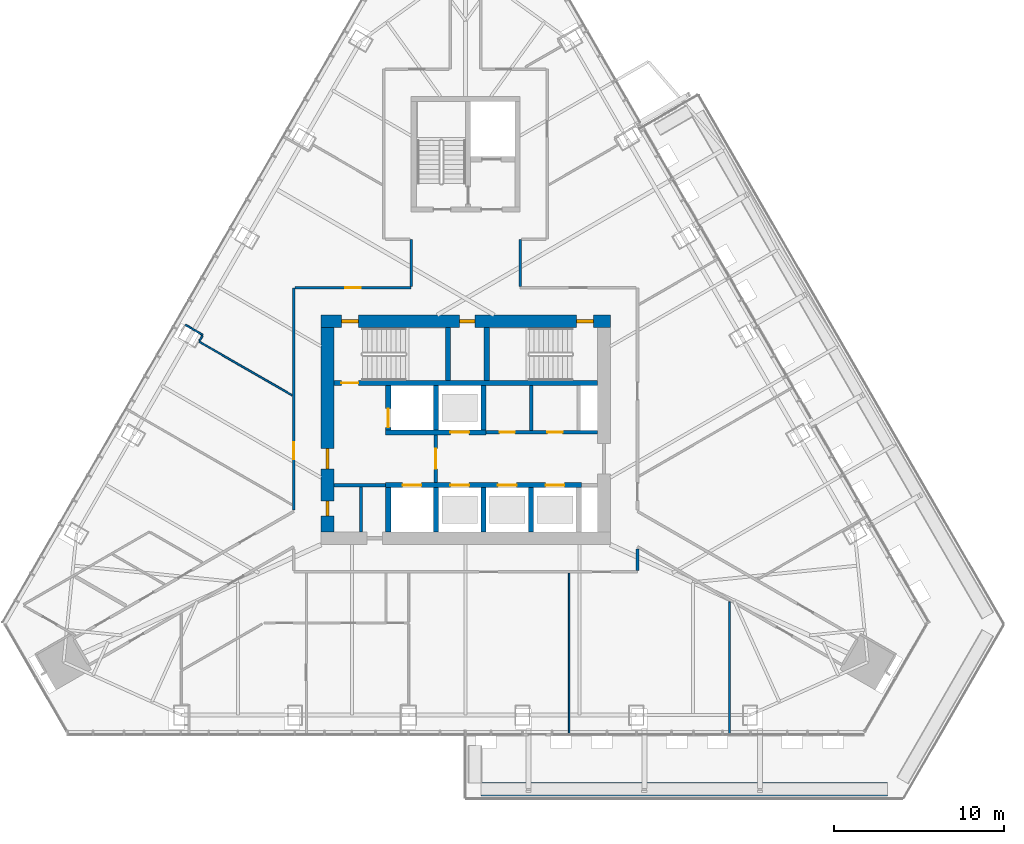
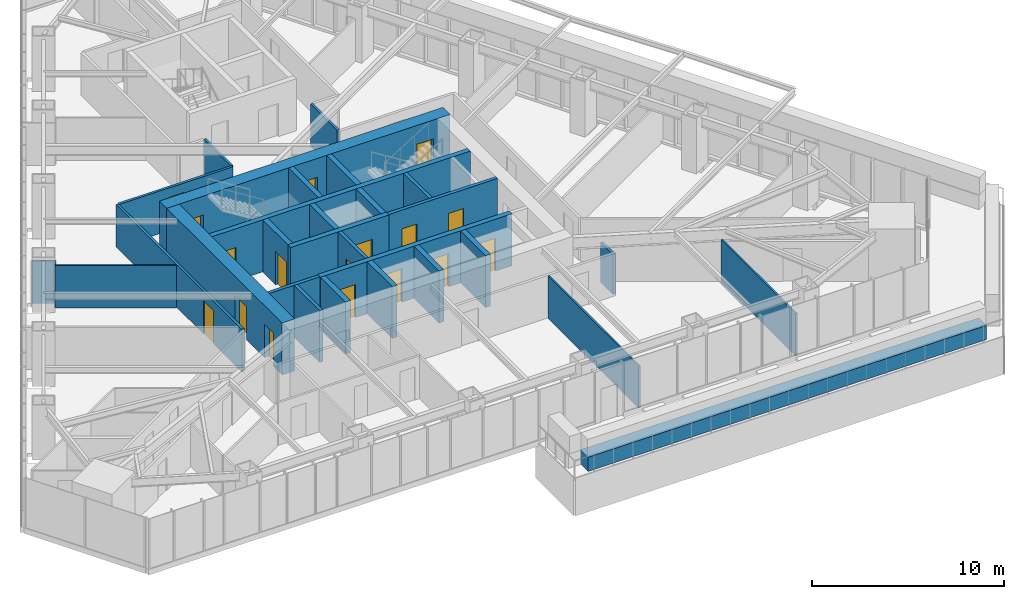
# One storey, part 11 of 17: 30 walls, 17 doors, 17 openings.
"""IFC4 building model written with IfcOpenShell, lengths in metres."""

from ifc_helpers import new_model, si_unit, direction, frame, frame_2d, origin, place, context, subcontext, project, spatial, rectangle, extrude, material, layer, layer_set, type_object, element, fill, save


model = new_model("IFC4")

# Units and contexts
model_context = context("Model", 3, precision=1e-05, world=origin(), true_north=direction((0.0, 1.0)))
body_context = subcontext(model_context, "Body", "Model", "MODEL_VIEW")
ifc_project = project(units=[si_unit("LENGTHUNIT", "METRE"), si_unit("AREAUNIT", "SQUARE_METRE"), si_unit("VOLUMEUNIT", "CUBIC_METRE"), si_unit("PLANEANGLEUNIT", "RADIAN"), si_unit("MASSUNIT", "GRAM", prefix="KILO")], contexts=[model_context])

# Site, building, storey
site_placement = place(None, origin())
site = spatial("IfcSite", under=ifc_project, at=site_placement, CompositionType="ELEMENT")
building_placement = place(site_placement, origin())
building = spatial("IfcBuilding", under=site, at=building_placement, Name="Firuza Gate Tower and Library", CompositionType="ELEMENT")
storey_placement = place(building_placement, frame((0.0, 0.0, 263.60009765625)))
storey = spatial("IfcBuildingStorey", under=building, at=storey_placement, Name="L62", CompositionType="ELEMENT", Elevation=263.60009765625)

# Wall
ifc_material_1 = material(Name="Plasterboard on steel studs", Category="steel")
ifc_layer_1 = layer(ifc_material_1, 0.199951171875)
ifc_layer_set_1 = layer_set([ifc_layer_1], Name="Core partition 200 EI 120")
wall_type_1 = type_object("IfcWallType", Name="Core partition 200 EI 120", PredefinedType="PARTITIONING", material=ifc_layer_set_1)
wall_1_placement = place(storey_placement, frame((67.25, 71.75, 0.0), z_axis=(0.0, 0.0, 1.0), x_axis=(1.0, 0.0, 0.0)))
element("IfcWall", 1, at=wall_1_placement, inside=storey, type_object=wall_type_1, Name="Core partition L62 1", PredefinedType="PARTITIONING", context=body_context, shape_type="SweptSolid", body=[
    extrude(rectangle(XDim=3.050048828125, YDim=0.199951171875, at=frame_2d((1.52490234375, 0.0))), origin(), (0.0, 0.0, 1.0), 3.2998046875),
])

# Wall, openings, doors
wall_2_placement = place(storey_placement, frame((76.199951171875, 74.85009765625, 0.0), z_axis=(0.0, 0.0, 1.0), x_axis=(1.0, 0.0, 0.0)))
wall_2 = element("IfcWall", 2, at=wall_2_placement, inside=storey, type_object=wall_type_1, Name="Core partition L62 3", PredefinedType="PARTITIONING", context=body_context, shape_type="SweptSolid", body=[
    extrude(rectangle(XDim=6.550048828125, YDim=0.199951171875, at=frame_2d((3.27490234375, 0.0))), origin(), (0.0, 0.0, 1.0), 3.2998046875),
])
opening_1_placement = place(wall_2_placement, frame((0.800048828125, 0.0, 0.0)))
opening_1 = element("IfcOpeningElement", 3, at=opening_1_placement, cuts=wall_2, Name="Opening L62-K19", PredefinedType="OPENING", context=body_context, shape_type="SweptSolid", body=[
    extrude(rectangle(XDim=0.89990234375, YDim=2.10009765625, at=frame_2d((0.449951171875, 1.050048828125))), frame((0.0, 0.10986328125, 0.0), z_axis=(0.0, -1.0, 0.0), x_axis=(1.0, 0.0, 0.0)), (0.0, 0.0, 1.0), 0.219970703125),
])
opening_2_placement = place(wall_2_placement, frame((3.60009765625, 0.0, 0.0)))
opening_2 = element("IfcOpeningElement", 4, at=opening_2_placement, cuts=wall_2, Name="Opening L62-K20", PredefinedType="OPENING", context=body_context, shape_type="SweptSolid", body=[
    extrude(rectangle(XDim=0.89990234375, YDim=2.10009765625, at=frame_2d((0.449951171875, 1.050048828125))), frame((0.0, 0.10986328125, 0.0), z_axis=(0.0, -1.0, 0.0), x_axis=(1.0, 0.0, 0.0)), (0.0, 0.0, 1.0), 0.219970703125),
])
ifc_material_2 = material(Name="Steel", Category="steel")
door_type_1 = type_object("IfcDoorType", Name="Fire door 900x2100 FD30S", OperationType="NOTDEFINED", PredefinedType="DOOR", material=ifc_material_2)
door_1_placement = place(opening_1_placement, origin())
door_1 = element("IfcDoor", 5, at=door_1_placement, inside=storey, type_object=door_type_1, Name="Door L62-K19", OperationType="SINGLE_SWING_RIGHT", OverallHeight=2.10009765625, OverallWidth=0.89990234375, PredefinedType="DOOR", context=body_context, shape_type="SweptSolid", body=[
    extrude(rectangle(XDim=0.89990234375, YDim=2.10009765625, at=frame_2d((0.449951171875, 1.050048828125))), frame((0.0, 0.02490234375, 0.0), z_axis=(0.0, -1.0, 0.0), x_axis=(1.0, 0.0, 0.0)), (0.0, 0.0, 1.0), 0.050048828125),
])
fill(opening_1, door_1)
door_2_placement = place(opening_2_placement, origin())
door_2 = element("IfcDoor", 6, at=door_2_placement, inside=storey, type_object=door_type_1, Name="Door L62-K20", OperationType="SINGLE_SWING_LEFT", OverallHeight=2.10009765625, OverallWidth=0.89990234375, PredefinedType="DOOR", context=body_context, shape_type="SweptSolid", body=[
    extrude(rectangle(XDim=0.89990234375, YDim=2.10009765625, at=frame_2d((0.449951171875, 1.050048828125))), frame((0.0, 0.02490234375, 0.0), z_axis=(0.0, -1.0, 0.0), x_axis=(1.0, 0.0, 0.0)), (0.0, 0.0, 1.0), 0.050048828125),
])
fill(opening_2, door_2)

# Walls
wall_3_placement = place(storey_placement, frame((68.85009765625, 69.0, 0.0), z_axis=(0.0, 0.0, 1.0), x_axis=(0.0, 1.0, 0.0)))
element("IfcWall", 7, at=wall_3_placement, inside=storey, type_object=wall_type_1, Name="Core partition L62 4", PredefinedType="PARTITIONING", context=body_context, shape_type="SweptSolid", body=[
    extrude(rectangle(XDim=2.64990234375, YDim=0.199951171875, at=frame_2d((1.324951171875, 0.0))), origin(), (0.0, 0.0, 1.0), 3.2998046875),
])
wall_4_placement = place(storey_placement, frame((78.85009765625, 74.949951171875, 0.0), z_axis=(0.0, 0.0, 1.0), x_axis=(0.0, 1.0, 0.0)))
element("IfcWall", 8, at=wall_4_placement, inside=storey, type_object=wall_type_1, Name="Core partition L62 6", PredefinedType="PARTITIONING", context=body_context, shape_type="SweptSolid", body=[
    extrude(rectangle(XDim=2.650146484375, YDim=0.199951171875, at=frame_2d((1.3251953125, 0.0))), origin(), (0.0, 0.0, 1.0), 3.2998046875),
])

# Wall, opening, door
ifc_material_3 = material(Name="Plasterboard on steel studs", Category="steel")
ifc_layer_2 = layer(ifc_material_3, 0.199951171875)
ifc_layer_set_2 = layer_set([ifc_layer_2], Name="Core partition 200 EI 60")
wall_type_2 = type_object("IfcWallType", Name="Core partition 200 EI 60", PredefinedType="PARTITIONING", material=ifc_layer_set_2)
wall_5_placement = place(storey_placement, frame((73.25, 71.89990234375, 0.0), z_axis=(0.0, 0.0, 1.0), x_axis=(0.0, 1.0, 0.0)))
wall_5 = element("IfcWall", 9, at=wall_5_placement, inside=storey, type_object=wall_type_2, Name="Core partition L62 5", PredefinedType="PARTITIONING", context=body_context, shape_type="SweptSolid", body=[
    extrude(rectangle(XDim=2.800048828125, YDim=0.199951171875, at=frame_2d((1.39990234375, 0.0))), origin(), (0.0, 0.0, 1.0), 3.2998046875),
])
opening_3_placement = place(wall_5_placement, frame((0.800048828125, 0.0, 0.0)))
opening_3 = element("IfcOpeningElement", 10, at=opening_3_placement, cuts=wall_5, Name="Opening L62-K14", PredefinedType="OPENING", context=body_context, shape_type="SweptSolid", body=[
    extrude(rectangle(XDim=1.199951171875, YDim=2.10009765625, at=frame_2d((0.60009765625, 1.050048828125))), frame((0.0, 0.10986328125, 0.0), z_axis=(0.0, -1.0, 0.0), x_axis=(1.0, 0.0, 0.0)), (0.0, 0.0, 1.0), 0.219970703125),
])
ifc_material_4 = material(Name="Steel", Category="steel")
door_type_2 = type_object("IfcDoorType", Name="Fire door 1200x2100 FD90S", OperationType="NOTDEFINED", PredefinedType="DOOR", material=ifc_material_4)
door_3_placement = place(opening_3_placement, origin())
door_3 = element("IfcDoor", 11, at=door_3_placement, inside=storey, type_object=door_type_2, Name="Door L62-K14", OperationType="SINGLE_SWING_LEFT", OverallHeight=2.10009765625, OverallWidth=1.199951171875, PredefinedType="DOOR", context=body_context, shape_type="SweptSolid", body=[
    extrude(rectangle(XDim=1.199951171875, YDim=2.10009765625, at=frame_2d((0.60009765625, 1.050048828125))), frame((0.0, 0.02490234375, 0.0), z_axis=(0.0, -1.0, 0.0), x_axis=(1.0, 0.0, 0.0)), (0.0, 0.0, 1.0), 0.050048828125),
])
fill(opening_3, door_3)

# Wall, openings, doors
ifc_material_5 = material(Name="Concrete C60/75", Category="concrete")
ifc_layer_3 = layer(ifc_material_5, 0.300048828125)
ifc_layer_set_3 = layer_set([ifc_layer_3], Name="Core wall 300 C60/75")
wall_type_3 = type_object("IfcWallType", Name="Core wall 300 C60/75", PredefinedType="SHEAR", material=ifc_layer_set_3)
wall_6_placement = place(storey_placement, frame((70.300048828125, 71.75, 0.0), z_axis=(0.0, 0.0, 1.0), x_axis=(1.0, 0.0, 0.0)))
wall_6 = element("IfcWall", 12, at=wall_6_placement, inside=storey, type_object=wall_type_3, Name="Core wall L62 5", PredefinedType="SHEAR", context=body_context, shape_type="SweptSolid", body=[
    extrude(rectangle(XDim=11.5, YDim=0.300048828125, at=frame_2d((5.75, 0.0))), origin(), (0.0, 0.0, 1.0), 3.2998046875),
])
opening_4_placement = place(wall_6_placement, frame((1.0, 0.0, 0.0)))
opening_4 = element("IfcOpeningElement", 13, at=opening_4_placement, cuts=wall_6, Name="Opening LD-FF1-L62", PredefinedType="OPENING", context=body_context, shape_type="SweptSolid", body=[
    extrude(rectangle(XDim=1.10009765625, YDim=2.10009765625, at=frame_2d((0.550048828125, 1.050048828125))), frame((0.0, 0.16015625, 0.0), z_axis=(0.0, -1.0, 0.0), x_axis=(1.0, 0.0, 0.0)), (0.0, 0.0, 1.0), 0.320068359375),
])
opening_5_placement = place(wall_6_placement, frame((3.800048828125, 0.0, 0.0)))
opening_5 = element("IfcOpeningElement", 14, at=opening_5_placement, cuts=wall_6, Name="Opening LD-HR1-L62", PredefinedType="OPENING", context=body_context, shape_type="SweptSolid", body=[
    extrude(rectangle(XDim=1.10009765625, YDim=2.10009765625, at=frame_2d((0.550048828125, 1.050048828125))), frame((0.0, 0.16015625, 0.0), z_axis=(0.0, -1.0, 0.0), x_axis=(1.0, 0.0, 0.0)), (0.0, 0.0, 1.0), 0.320068359375),
])
opening_6_placement = place(wall_6_placement, frame((6.60009765625, 0.0, 0.0)))
opening_6 = element("IfcOpeningElement", 15, at=opening_6_placement, cuts=wall_6, Name="Opening LD-HR2-L62", PredefinedType="OPENING", context=body_context, shape_type="SweptSolid", body=[
    extrude(rectangle(XDim=1.10009765625, YDim=2.10009765625, at=frame_2d((0.550048828125, 1.050048828125))), frame((0.0, 0.16015625, 0.0), z_axis=(0.0, -1.0, 0.0), x_axis=(1.0, 0.0, 0.0)), (0.0, 0.0, 1.0), 0.320068359375),
])
opening_7_placement = place(wall_6_placement, frame((9.39990234375, 0.0, 0.0)))
opening_7 = element("IfcOpeningElement", 16, at=opening_7_placement, cuts=wall_6, Name="Opening LD-HR3-L62", PredefinedType="OPENING", context=body_context, shape_type="SweptSolid", body=[
    extrude(rectangle(XDim=1.10009765625, YDim=2.10009765625, at=frame_2d((0.550048828125, 1.050048828125))), frame((0.0, 0.16015625, 0.0), z_axis=(0.0, -1.0, 0.0), x_axis=(1.0, 0.0, 0.0)), (0.0, 0.0, 1.0), 0.320068359375),
])
ifc_material_6 = material(Name="Stainless steel", Category="steel")
door_type_3 = type_object("IfcDoorType", Name="Lift landing door 1100x2100", OperationType="DOUBLE_DOOR_SLIDING", PredefinedType="DOOR", material=ifc_material_6)
door_4_placement = place(opening_4_placement, origin())
door_4 = element("IfcDoor", 17, at=door_4_placement, inside=storey, type_object=door_type_3, Name="Landing door FF1 L62", OperationType="DOUBLE_DOOR_SLIDING", OverallHeight=2.10009765625, OverallWidth=1.10009765625, PredefinedType="DOOR", context=body_context, shape_type="SweptSolid", body=[
    extrude(rectangle(XDim=1.10009765625, YDim=2.10009765625, at=frame_2d((0.550048828125, 1.050048828125))), frame((0.0, 0.02490234375, 0.0), z_axis=(0.0, -1.0, 0.0), x_axis=(1.0, 0.0, 0.0)), (0.0, 0.0, 1.0), 0.050048828125),
])
fill(opening_4, door_4)
door_5_placement = place(opening_5_placement, origin())
door_5 = element("IfcDoor", 18, at=door_5_placement, inside=storey, type_object=door_type_3, Name="Landing door HR1 L62", OperationType="DOUBLE_DOOR_SLIDING", OverallHeight=2.10009765625, OverallWidth=1.10009765625, PredefinedType="DOOR", context=body_context, shape_type="SweptSolid", body=[
    extrude(rectangle(XDim=1.10009765625, YDim=2.10009765625, at=frame_2d((0.550048828125, 1.050048828125))), frame((0.0, 0.02490234375, 0.0), z_axis=(0.0, -1.0, 0.0), x_axis=(1.0, 0.0, 0.0)), (0.0, 0.0, 1.0), 0.050048828125),
])
fill(opening_5, door_5)
door_6_placement = place(opening_6_placement, origin())
door_6 = element("IfcDoor", 19, at=door_6_placement, inside=storey, type_object=door_type_3, Name="Landing door HR2 L62", OperationType="DOUBLE_DOOR_SLIDING", OverallHeight=2.10009765625, OverallWidth=1.10009765625, PredefinedType="DOOR", context=body_context, shape_type="SweptSolid", body=[
    extrude(rectangle(XDim=1.10009765625, YDim=2.10009765625, at=frame_2d((0.550048828125, 1.050048828125))), frame((0.0, 0.02490234375, 0.0), z_axis=(0.0, -1.0, 0.0), x_axis=(1.0, 0.0, 0.0)), (0.0, 0.0, 1.0), 0.050048828125),
])
fill(opening_6, door_6)
door_7_placement = place(opening_7_placement, origin())
door_7 = element("IfcDoor", 20, at=door_7_placement, inside=storey, type_object=door_type_3, Name="Landing door HR3 L62", OperationType="DOUBLE_DOOR_SLIDING", OverallHeight=2.10009765625, OverallWidth=1.10009765625, PredefinedType="DOOR", context=body_context, shape_type="SweptSolid", body=[
    extrude(rectangle(XDim=1.10009765625, YDim=2.10009765625, at=frame_2d((0.550048828125, 1.050048828125))), frame((0.0, 0.02490234375, 0.0), z_axis=(0.0, -1.0, 0.0), x_axis=(1.0, 0.0, 0.0)), (0.0, 0.0, 1.0), 0.050048828125),
])
fill(opening_7, door_7)

# Wall, opening, door
wall_7_placement = place(storey_placement, frame((70.300048828125, 74.85009765625, 0.0), z_axis=(0.0, 0.0, 1.0), x_axis=(1.0, 0.0, 0.0)))
wall_7 = element("IfcWall", 21, at=wall_7_placement, inside=storey, type_object=wall_type_3, Name="Core wall L62 6", PredefinedType="SHEAR", context=body_context, shape_type="SweptSolid", body=[
    extrude(rectangle(XDim=5.89990234375, YDim=0.300048828125, at=frame_2d((2.949951171875, 0.0))), origin(), (0.0, 0.0, 1.0), 3.2998046875),
])
opening_8_placement = place(wall_7_placement, frame((3.800048828125, 0.0, 0.0)))
opening_8 = element("IfcOpeningElement", 22, at=opening_8_placement, cuts=wall_7, Name="Opening LD-HR4-L62", PredefinedType="OPENING", context=body_context, shape_type="SweptSolid", body=[
    extrude(rectangle(XDim=1.10009765625, YDim=2.10009765625, at=frame_2d((0.550048828125, 1.050048828125))), frame((0.0, 0.16015625, 0.0), z_axis=(0.0, -1.0, 0.0), x_axis=(1.0, 0.0, 0.0)), (0.0, 0.0, 1.0), 0.320068359375),
])
door_8_placement = place(opening_8_placement, origin())
door_8 = element("IfcDoor", 23, at=door_8_placement, inside=storey, type_object=door_type_3, Name="Landing door HR4 L62", OperationType="DOUBLE_DOOR_SLIDING", OverallHeight=2.10009765625, OverallWidth=1.10009765625, PredefinedType="DOOR", context=body_context, shape_type="SweptSolid", body=[
    extrude(rectangle(XDim=1.10009765625, YDim=2.10009765625, at=frame_2d((0.550048828125, 1.050048828125))), frame((0.0, 0.02490234375, 0.0), z_axis=(0.0, -1.0, 0.0), x_axis=(1.0, 0.0, 0.0)), (0.0, 0.0, 1.0), 0.050048828125),
])
fill(opening_8, door_8)

# Wall
wall_8_placement = place(storey_placement, frame((70.449951171875, 69.0, 0.0), z_axis=(0.0, 0.0, 1.0), x_axis=(0.0, 1.0, 0.0)))
element("IfcWall", 24, at=wall_8_placement, inside=storey, type_object=wall_type_3, Name="Core wall L62 7", PredefinedType="SHEAR", context=body_context, shape_type="SweptSolid", body=[
    extrude(rectangle(XDim=2.60009765625, YDim=0.300048828125, at=frame_2d((1.300048828125, 0.0))), origin(), (0.0, 0.0, 1.0), 3.2998046875),
])

# Wall, opening, door
wall_9_placement = place(storey_placement, frame((70.449951171875, 75.0, 0.0), z_axis=(0.0, 0.0, 1.0), x_axis=(0.0, 1.0, 0.0)))
wall_9 = element("IfcWall", 25, at=wall_9_placement, inside=storey, type_object=wall_type_3, Name="Core wall L62 8", PredefinedType="SHEAR", context=body_context, shape_type="SweptSolid", body=[
    extrude(rectangle(XDim=2.60009765625, YDim=0.300048828125, at=frame_2d((1.300048828125, 0.0))), origin(), (0.0, 0.0, 1.0), 3.2998046875),
])
opening_9_placement = place(wall_9_placement, frame((0.14990234375, 0.0, 0.0)))
opening_9 = element("IfcOpeningElement", 26, at=opening_9_placement, cuts=wall_9, Name="Opening LD-FF2-L62", PredefinedType="OPENING", context=body_context, shape_type="SweptSolid", body=[
    extrude(rectangle(XDim=1.10009765625, YDim=2.10009765625, at=frame_2d((0.550048828125, 1.050048828125))), frame((0.0, 0.16015625, 0.0), z_axis=(0.0, -1.0, 0.0), x_axis=(1.0, 0.0, 0.0)), (0.0, 0.0, 1.0), 0.320068359375),
])
door_9_placement = place(opening_9_placement, origin())
door_9 = element("IfcDoor", 27, at=door_9_placement, inside=storey, type_object=door_type_3, Name="Landing door FF2 L62", OperationType="DOUBLE_DOOR_SLIDING", OverallHeight=2.10009765625, OverallWidth=1.10009765625, PredefinedType="DOOR", context=body_context, shape_type="SweptSolid", body=[
    extrude(rectangle(XDim=1.10009765625, YDim=2.10009765625, at=frame_2d((0.550048828125, 1.050048828125))), frame((0.0, 0.02490234375, 0.0), z_axis=(0.0, -1.0, 0.0), x_axis=(1.0, 0.0, 0.0)), (0.0, 0.0, 1.0), 0.050048828125),
])
fill(opening_9, door_9)

# Walls
for number, where, z_axis, x_axis, name in (
    (28, (73.25, 69.0, 0.0), (0.0, 0.0, 1.0), (0.0, 1.0, 0.0), "Core wall L62 9"),
    (29, (73.25, 75.0, 0.0), (0.0, 0.0, 1.0), (0.0, 1.0, 0.0), "Core wall L62 10"),
    (30, (76.050048828125, 69.0, 0.0), (0.0, 0.0, 1.0), (0.0, 1.0, 0.0), "Core wall L62 11"),
    (31, (76.050048828125, 75.0, 0.0), (0.0, 0.0, 1.0), (0.0, 1.0, 0.0), "Core wall L62 12"),
    (32, (78.85009765625, 69.0, 0.0), (0.0, 0.0, 1.0), (0.0, 1.0, 0.0), "Core wall L62 13"),
):
    element("IfcWall", number, at=place(storey_placement, frame(where, z_axis=z_axis, x_axis=x_axis)), inside=storey, type_object=wall_type_3, Name=name, PredefinedType="SHEAR", context=body_context, shape_type="SweptSolid", body=[
        extrude(rectangle(XDim=2.60009765625, YDim=0.300048828125, at=frame_2d((1.300048828125, 0.0))), origin(), (0.0, 0.0, 1.0), 3.2998046875),
    ])

# Wall, opening, door
wall_10_placement = place(storey_placement, frame((67.25, 77.75, 0.0), z_axis=(0.0, 0.0, 1.0), x_axis=(1.0, 0.0, 0.0)))
wall_10 = element("IfcWall", 33, at=wall_10_placement, inside=storey, type_object=wall_type_3, Name="Core wall L62 15", PredefinedType="SHEAR", context=body_context, shape_type="SweptSolid", body=[
    extrude(rectangle(XDim=15.5, YDim=0.300048828125, at=frame_2d((7.75, 0.0))), origin(), (0.0, 0.0, 1.0), 3.2998046875),
])
opening_10_placement = place(wall_10_placement, frame((0.445068359375, 0.0, 0.0)))
opening_10 = element("IfcOpeningElement", 34, at=opening_10_placement, cuts=wall_10, Name="Opening L62-K08", PredefinedType="OPENING", context=body_context, shape_type="SweptSolid", body=[
    extrude(rectangle(XDim=1.0, YDim=2.10009765625, at=frame_2d((0.5, 1.050048828125))), frame((0.0, 0.16015625, 0.0), z_axis=(0.0, -1.0, 0.0), x_axis=(1.0, 0.0, 0.0)), (0.0, 0.0, 1.0), 0.320068359375),
])
ifc_material_7 = material(Name="Steel", Category="steel")
door_type_4 = type_object("IfcDoorType", Name="Fire door 1000x2100 FD90", OperationType="NOTDEFINED", PredefinedType="DOOR", material=ifc_material_7)
door_10_placement = place(opening_10_placement, origin())
door_10 = element("IfcDoor", 35, at=door_10_placement, inside=storey, type_object=door_type_4, Name="Door L62-K08", OperationType="SINGLE_SWING_LEFT", OverallHeight=2.10009765625, OverallWidth=1.0, PredefinedType="DOOR", context=body_context, shape_type="SweptSolid", body=[
    extrude(rectangle(XDim=1.0, YDim=2.10009765625, at=frame_2d((0.5, 1.050048828125))), frame((0.0, 0.02490234375, 0.0), z_axis=(0.0, -1.0, 0.0), x_axis=(1.0, 0.0, 0.0)), (0.0, 0.0, 1.0), 0.050048828125),
])
fill(opening_10, door_10)

# Walls
for number, where, z_axis, x_axis, name in (
    (36, (73.9599609375, 77.89990234375, 0.0), (0.0, 0.0, 1.0), (0.0, 1.0, 0.0), "Core wall L62 16"),
    (37, (76.239990234375, 77.89990234375, 0.0), (0.0, 0.0, 1.0), (0.0, 1.0, 0.0), "Core wall L62 17"),
):
    element("IfcWall", number, at=place(storey_placement, frame(where, z_axis=z_axis, x_axis=x_axis)), inside=storey, type_object=wall_type_3, Name=name, PredefinedType="SHEAR", context=body_context, shape_type="SweptSolid", body=[
        extrude(rectangle(XDim=3.10009765625, YDim=0.300048828125, at=frame_2d((1.550048828125, 0.0))), origin(), (0.0, 0.0, 1.0), 3.2998046875),
    ])

# Wall, openings, doors
ifc_material_8 = material(Name="Concrete C60/75", Category="concrete")
ifc_layer_4 = layer(ifc_material_8, 0.75)
ifc_layer_set_4 = layer_set([ifc_layer_4], Name="Core wall 750 C60/75")
wall_type_4 = type_object("IfcWallType", Name="Core wall 750 C60/75", PredefinedType="SHEAR", material=ifc_layer_set_4)
wall_11_placement = place(storey_placement, frame((66.5, 81.375, 0.0), z_axis=(0.0, 0.0, 1.0), x_axis=(1.0, 0.0, 0.0)))
wall_11 = element("IfcWall", 38, at=wall_11_placement, inside=storey, type_object=wall_type_4, Name="Core wall L62 2", PredefinedType="SHEAR", context=body_context, shape_type="SweptSolid", body=[
    extrude(rectangle(XDim=17.0, YDim=0.75, at=frame_2d((8.5, 0.0))), origin(), (0.0, 0.0, 1.0), 3.2998046875),
])
opening_11_placement = place(wall_11_placement, frame((1.195068359375, 0.0, 0.0)))
opening_11 = element("IfcOpeningElement", 39, at=opening_11_placement, cuts=wall_11, Name="Opening L62-K09", PredefinedType="OPENING", context=body_context, shape_type="SweptSolid", body=[
    extrude(rectangle(XDim=1.0, YDim=2.10009765625, at=frame_2d((0.5, 1.050048828125))), frame((0.0, 0.385009765625, 0.0), z_axis=(0.0, -1.0, 0.0), x_axis=(1.0, 0.0, 0.0)), (0.0, 0.0, 1.0), 0.77001953125),
])
opening_12_placement = place(wall_11_placement, frame((15.0048828125, 0.0, 0.0)))
opening_12 = element("IfcOpeningElement", 40, at=opening_12_placement, cuts=wall_11, Name="Opening L62-K10", PredefinedType="OPENING", context=body_context, shape_type="SweptSolid", body=[
    extrude(rectangle(XDim=1.0, YDim=2.10009765625, at=frame_2d((0.5, 1.050048828125))), frame((0.0, 0.385009765625, 0.0), z_axis=(0.0, -1.0, 0.0), x_axis=(1.0, 0.0, 0.0)), (0.0, 0.0, 1.0), 0.77001953125),
])
opening_13_placement = place(wall_11_placement, frame((8.14990234375, 0.0, 0.0)))
opening_13 = element("IfcOpeningElement", 41, at=opening_13_placement, cuts=wall_11, Name="Opening L62-K21", PredefinedType="OPENING", context=body_context, shape_type="SweptSolid", body=[
    extrude(rectangle(XDim=0.89990234375, YDim=2.10009765625, at=frame_2d((0.449951171875, 1.050048828125))), frame((0.0, 0.385009765625, 0.0), z_axis=(0.0, -1.0, 0.0), x_axis=(1.0, 0.0, 0.0)), (0.0, 0.0, 1.0), 0.77001953125),
])
door_11_placement = place(opening_11_placement, origin())
door_11 = element("IfcDoor", 42, at=door_11_placement, inside=storey, type_object=door_type_4, Name="Door L62-K09", OperationType="SINGLE_SWING_RIGHT", OverallHeight=2.10009765625, OverallWidth=1.0, PredefinedType="DOOR", context=body_context, shape_type="SweptSolid", body=[
    extrude(rectangle(XDim=1.0, YDim=2.10009765625, at=frame_2d((0.5, 1.050048828125))), frame((0.0, 0.094970703125, 0.0), z_axis=(0.0, -1.0, 0.0), x_axis=(1.0, 0.0, 0.0)), (0.0, 0.0, 1.0), 0.18994140625),
])
fill(opening_11, door_11)
door_12_placement = place(opening_12_placement, origin())
door_12 = element("IfcDoor", 43, at=door_12_placement, inside=storey, type_object=door_type_4, Name="Door L62-K10", OperationType="SINGLE_SWING_LEFT", OverallHeight=2.10009765625, OverallWidth=1.0, PredefinedType="DOOR", context=body_context, shape_type="SweptSolid", body=[
    extrude(rectangle(XDim=1.0, YDim=2.10009765625, at=frame_2d((0.5, 1.050048828125))), frame((0.0, 0.094970703125, 0.0), z_axis=(0.0, -1.0, 0.0), x_axis=(1.0, 0.0, 0.0)), (0.0, 0.0, 1.0), 0.18994140625),
])
fill(opening_12, door_12)
door_13_placement = place(opening_13_placement, origin())
door_13 = element("IfcDoor", 44, at=door_13_placement, inside=storey, type_object=door_type_1, Name="Door L62-K21", OperationType="SINGLE_SWING_RIGHT", OverallHeight=2.10009765625, OverallWidth=0.89990234375, PredefinedType="DOOR", context=body_context, shape_type="SweptSolid", body=[
    extrude(rectangle(XDim=0.89990234375, YDim=2.10009765625, at=frame_2d((0.449951171875, 1.050048828125))), frame((0.0, 0.094970703125, 0.0), z_axis=(0.0, -1.0, 0.0), x_axis=(1.0, 0.0, 0.0)), (0.0, 0.0, 1.0), 0.18994140625),
])
fill(opening_13, door_13)

wall_12_placement = place(storey_placement, frame((66.875, 69.0, 0.0), z_axis=(0.0, 0.0, 1.0), x_axis=(0.0, 1.0, 0.0)))
wall_12 = element("IfcWall", 45, at=wall_12_placement, inside=storey, type_object=wall_type_4, Name="Core wall L62 3", PredefinedType="SHEAR", context=body_context, shape_type="SweptSolid", body=[
    extrude(rectangle(XDim=12.0, YDim=0.75, at=frame_2d((6.0, 0.0))), origin(), (0.0, 0.0, 1.0), 3.2998046875),
])
opening_14_placement = place(wall_12_placement, frame((3.699951171875, 0.0, 0.0)))
opening_14 = element("IfcOpeningElement", 46, at=opening_14_placement, cuts=wall_12, Name="Opening L62-K15", PredefinedType="OPENING", context=body_context, shape_type="SweptSolid", body=[
    extrude(rectangle(XDim=1.199951171875, YDim=2.10009765625, at=frame_2d((0.60009765625, 1.050048828125))), frame((0.0, 0.385009765625, 0.0), z_axis=(0.0, -1.0, 0.0), x_axis=(1.0, 0.0, 0.0)), (0.0, 0.0, 1.0), 0.77001953125),
])
opening_15_placement = place(wall_12_placement, frame((0.925048828125, 0.0, 0.0)))
opening_15 = element("IfcOpeningElement", 47, at=opening_15_placement, cuts=wall_12, Name="Opening L62-K17", PredefinedType="OPENING", context=body_context, shape_type="SweptSolid", body=[
    extrude(rectangle(XDim=0.89990234375, YDim=2.10009765625, at=frame_2d((0.449951171875, 1.050048828125))), frame((0.0, 0.385009765625, 0.0), z_axis=(0.0, -1.0, 0.0), x_axis=(1.0, 0.0, 0.0)), (0.0, 0.0, 1.0), 0.77001953125),
])
door_14_placement = place(opening_14_placement, origin())
door_14 = element("IfcDoor", 48, at=door_14_placement, inside=storey, type_object=door_type_2, Name="Door L62-K15", OperationType="SINGLE_SWING_RIGHT", OverallHeight=2.10009765625, OverallWidth=1.199951171875, PredefinedType="DOOR", context=body_context, shape_type="SweptSolid", body=[
    extrude(rectangle(XDim=1.199951171875, YDim=2.10009765625, at=frame_2d((0.60009765625, 1.050048828125))), frame((0.0, 0.094970703125, 0.0), z_axis=(0.0, -1.0, 0.0), x_axis=(1.0, 0.0, 0.0)), (0.0, 0.0, 1.0), 0.18994140625),
])
fill(opening_14, door_14)
door_15_placement = place(opening_15_placement, origin())
door_15 = element("IfcDoor", 49, at=door_15_placement, inside=storey, type_object=door_type_1, Name="Door L62-K17", OperationType="SINGLE_SWING_RIGHT", OverallHeight=2.10009765625, OverallWidth=0.89990234375, PredefinedType="DOOR", context=body_context, shape_type="SweptSolid", body=[
    extrude(rectangle(XDim=0.89990234375, YDim=2.10009765625, at=frame_2d((0.449951171875, 1.050048828125))), frame((0.0, 0.094970703125, 0.0), z_axis=(0.0, -1.0, 0.0), x_axis=(1.0, 0.0, 0.0)), (0.0, 0.0, 1.0), 0.18994140625),
])
fill(opening_15, door_15)

# Wall, opening, door
ifc_material_9 = material(Name="Gypsum board partition")
ifc_layer_5 = layer(ifc_material_9, 0.14990234375)
ifc_layer_set_5 = layer_set([ifc_layer_5], Name="Corridor wall 150 double board on steel studs")
wall_type_5 = type_object("IfcWallType", Name="Corridor wall 150 double board on steel studs", PredefinedType="PARTITIONING", material=ifc_layer_set_5)
wall_13_placement = place(storey_placement, frame((64.97705078125, 83.35009765625, 0.0), z_axis=(0.0, 0.0, 1.0), x_axis=(1.0, 0.0, 0.0)))
wall_13 = element("IfcWall", 50, at=wall_13_placement, inside=storey, type_object=wall_type_5, Name="f:L62:w004", PredefinedType="PARTITIONING", context=body_context, shape_type="SweptSolid", body=[
    extrude(rectangle(XDim=6.822998046875, YDim=0.14990234375, at=frame_2d((3.41162109375, 0.0))), origin(), (0.0, 0.0, 1.0), 2.699951171875),
])
opening_16_placement = place(wall_13_placement, frame((2.96142578125, 0.0, 0.0)))
opening_16 = element("IfcOpeningElement", 51, at=opening_16_placement, cuts=wall_13, Name="Opening L62-04", PredefinedType="OPENING", context=body_context, shape_type="SweptSolid", body=[
    extrude(rectangle(XDim=0.89990234375, YDim=2.10009765625, at=frame_2d((0.449951171875, 1.050048828125))), frame((0.0, 0.0849609375, 0.0), z_axis=(0.0, -1.0, 0.0), x_axis=(1.0, 0.0, 0.0)), (0.0, 0.0, 1.0), 0.169921875),
])
ifc_material_10 = material(Name="Steel door and timber leaf", Category="steel")
door_type_5 = type_object("IfcDoorType", Name="Fire door 900 x 2100 steel frame, timber leaf", OperationType="NOTDEFINED", PredefinedType="DOOR", material=ifc_material_10)
door_16_placement = place(opening_16_placement, origin())
door_16 = element("IfcDoor", 52, at=door_16_placement, inside=storey, type_object=door_type_5, Name="f:L62:d004", OperationType="SINGLE_SWING_LEFT", OverallHeight=2.10009765625, OverallWidth=0.89990234375, PredefinedType="DOOR", context=body_context, shape_type="SweptSolid", body=[
    extrude(rectangle(XDim=0.89990234375, YDim=2.10009765625, at=frame_2d((0.449951171875, 1.050048828125))), frame((0.0, 0.02490234375, 0.0), z_axis=(0.0, -1.0, 0.0), x_axis=(1.0, 0.0, 0.0)), (0.0, 0.0, 1.0), 0.050048828125),
])
fill(opening_16, door_16)

# Walls
wall_14_placement = place(storey_placement, frame((85.10009765625, 66.7255859375, 0.0), z_axis=(0.0, 0.0, 1.0), x_axis=(0.0, 1.0, 0.0)))
element("IfcWall", 53, at=wall_14_placement, inside=storey, type_object=wall_type_5, Name="f:L62:w031", PredefinedType="PARTITIONING", context=body_context, shape_type="SweptSolid", body=[
    extrude(rectangle(XDim=1.267333984375, YDim=0.14990234375, at=frame_2d((0.6337890625, 0.0))), origin(), (0.0, 0.0, 1.0), 2.546875),
])
for number, where, z_axis, x_axis, name in (
    (54, (78.199951171875, 83.425048828125, 0.0), (0.0, 0.0, 1.0), (0.0, 1.0, 0.0), "f:L62:w035"),
    (55, (71.800048828125, 83.425048828125, 0.0), (0.0, 0.0, 1.0), (0.0, 1.0, 0.0), "f:L62:w040"),
):
    element("IfcWall", number, at=place(storey_placement, frame(where, z_axis=z_axis, x_axis=x_axis)), inside=storey, type_object=wall_type_5, Name=name, PredefinedType="PARTITIONING", context=body_context, shape_type="SweptSolid", body=[
        extrude(rectangle(XDim=2.77490234375, YDim=0.14990234375, at=frame_2d((1.387451171875, 0.0))), origin(), (0.0, 0.0, 1.0), 2.697021484375),
    ])

# Wall, opening, door
wall_15_placement = place(storey_placement, frame((64.89990234375, 70.294677734375, 0.0), z_axis=(0.0, 0.0, 1.0), x_axis=(0.0, 1.0, 0.0)))
wall_15 = element("IfcWall", 56, at=wall_15_placement, inside=storey, type_object=wall_type_5, Name="f:L62:w047", PredefinedType="PARTITIONING", context=body_context, shape_type="SweptSolid", body=[
    extrude(rectangle(XDim=13.05322265625, YDim=0.14990234375, at=frame_2d((6.526611328125, 0.0))), origin(), (0.0, 0.0, 1.0), 2.699951171875),
])
opening_17_placement = place(wall_15_placement, frame((2.96337890625, 0.0, 0.0)))
opening_17 = element("IfcOpeningElement", 57, at=opening_17_placement, cuts=wall_15, Name="Opening L62-18", PredefinedType="OPENING", context=body_context, shape_type="SweptSolid", body=[
    extrude(rectangle(XDim=1.0, YDim=2.10009765625, at=frame_2d((0.5, 1.050048828125))), frame((0.0, 0.0849609375, 0.0), z_axis=(0.0, -1.0, 0.0), x_axis=(1.0, 0.0, 0.0)), (0.0, 0.0, 1.0), 0.169921875),
])
ifc_material_11 = material(Name="Steel door and timber leaf", Category="steel")
door_type_6 = type_object("IfcDoorType", Name="Fire door 1000 x 2100 steel frame, timber leaf", OperationType="NOTDEFINED", PredefinedType="DOOR", material=ifc_material_11)
door_17_placement = place(opening_17_placement, origin())
door_17 = element("IfcDoor", 58, at=door_17_placement, inside=storey, type_object=door_type_6, Name="f:L62:d018", OperationType="SINGLE_SWING_RIGHT", OverallHeight=2.10009765625, OverallWidth=1.0, PredefinedType="DOOR", context=body_context, shape_type="SweptSolid", body=[
    extrude(rectangle(XDim=1.0, YDim=2.10009765625, at=frame_2d((0.5, 1.050048828125))), frame((0.0, 0.02490234375, 0.0), z_axis=(0.0, -1.0, 0.0), x_axis=(1.0, 0.0, 0.0)), (0.0, 0.0, 1.0), 0.050048828125),
])
fill(opening_17, door_17)

# Walls
ifc_material_12 = material(Name="Gypsum board partition")
ifc_layer_6 = layer(ifc_material_12, 0.10009765625)
ifc_layer_set_6 = layer_set([ifc_layer_6], Name="Partition 100 gypsum board on steel studs")
wall_type_6 = type_object("IfcWallType", Name="Partition 100 gypsum board on steel studs", PredefinedType="PARTITIONING", material=ifc_layer_set_6)
wall_16_placement = place(storey_placement, frame((59.35888671875, 80.23046875, 0.0), z_axis=(0.0, 0.0, 1.0), x_axis=(0.499539972301, 0.866290838041, 0.0)))
element("IfcWall", 59, at=wall_16_placement, inside=storey, type_object=wall_type_6, Name="f:L62:w027", PredefinedType="PARTITIONING", context=body_context, shape_type="SweptSolid", body=[
    extrude(rectangle(XDim=0.347412109375, YDim=0.10009765625, at=frame_2d((0.173828125, 0.0))), origin(), (0.0, 0.0, 1.0), 2.699951171875),
])
wall_17_placement = place(storey_placement, frame((90.506103515625, 57.13916015625, 0.0), z_axis=(0.0, 0.0, 1.0), x_axis=(0.0, 1.0, 0.0)))
element("IfcWall", 60, at=wall_17_placement, inside=storey, type_object=wall_type_6, Name="f:L62:w030", PredefinedType="PARTITIONING", context=body_context, shape_type="SweptSolid", body=[
    extrude(rectangle(XDim=7.752685546875, YDim=0.10009765625, at=frame_2d((3.87646484375, 0.0))), origin(), (0.0, 0.0, 1.0), 2.699951171875),
])
wall_18_placement = place(storey_placement, frame((81.08203125, 57.13916015625, 0.0), z_axis=(0.0, 0.0, 1.0), x_axis=(0.0, 1.0, 0.0)))
element("IfcWall", 61, at=wall_18_placement, inside=storey, type_object=wall_type_6, Name="f:L62:w033", PredefinedType="PARTITIONING", context=body_context, shape_type="SweptSolid", body=[
    extrude(rectangle(XDim=9.435791015625, YDim=0.10009765625, at=frame_2d((4.7177734375, 0.0))), origin(), (0.0, 0.0, 1.0), 2.68798828125),
])
wall_19_placement = place(storey_placement, frame((59.55712890625, 80.577880859375, 0.0), z_axis=(0.0, 0.0, 1.0), x_axis=(-0.866035997947, 0.499981649923, 0.0)))
element("IfcWall", 62, at=wall_19_placement, inside=storey, type_object=wall_type_6, Name="f:L62:w060", PredefinedType="PARTITIONING", context=body_context, shape_type="SweptSolid", body=[
    extrude(rectangle(XDim=1.19580078125, YDim=0.10009765625, at=frame_2d((0.597900390625, 0.0))), origin(), (0.0, 0.0, 1.0), 2.68798828125),
])
wall_20_placement = place(storey_placement, frame((64.79931640625, 77.03173828125, 0.0), z_axis=(0.0, 0.0, 1.0), x_axis=(-0.866032246126, 0.49998814853, 0.0)))
element("IfcWall", 63, at=wall_20_placement, inside=storey, type_object=wall_type_6, Name="f:L62:w061", PredefinedType="PARTITIONING", context=body_context, shape_type="SweptSolid", body=[
    extrude(rectangle(XDim=6.310302734375, YDim=0.10009765625, at=frame_2d((3.1552734375, 0.0))), origin(), (0.0, 0.0, 1.0), 2.699951171875),
])
ifc_material_13 = material(Name="Concrete C40/50", Category="concrete")
ifc_layer_7 = layer(ifc_material_13, 0.800048828125)
ifc_layer_set_7 = layer_set([ifc_layer_7], Name="Planter wall 800")
wall_type_7 = type_object("IfcWallType", Name="Planter wall 800", PredefinedType="SOLIDWALL", material=ifc_layer_set_7)
wall_21_placement = place(storey_placement, frame((75.89990234375, 53.88916015625, 0.0), z_axis=(0.0, 0.0, 1.0), x_axis=(1.0, 0.0, 0.0)))
element("IfcWall", 64, at=wall_21_placement, inside=storey, type_object=wall_type_7, Name="PLANTER L62 2", PredefinedType="SOLIDWALL", context=body_context, shape_type="SweptSolid", body=[
    extrude(rectangle(XDim=23.89892578125, YDim=0.800048828125, at=frame_2d((11.949462890625, 0.0))), origin(), (0.0, 0.0, 1.0), 0.89990234375),
])

save(model, "model.ifc")
